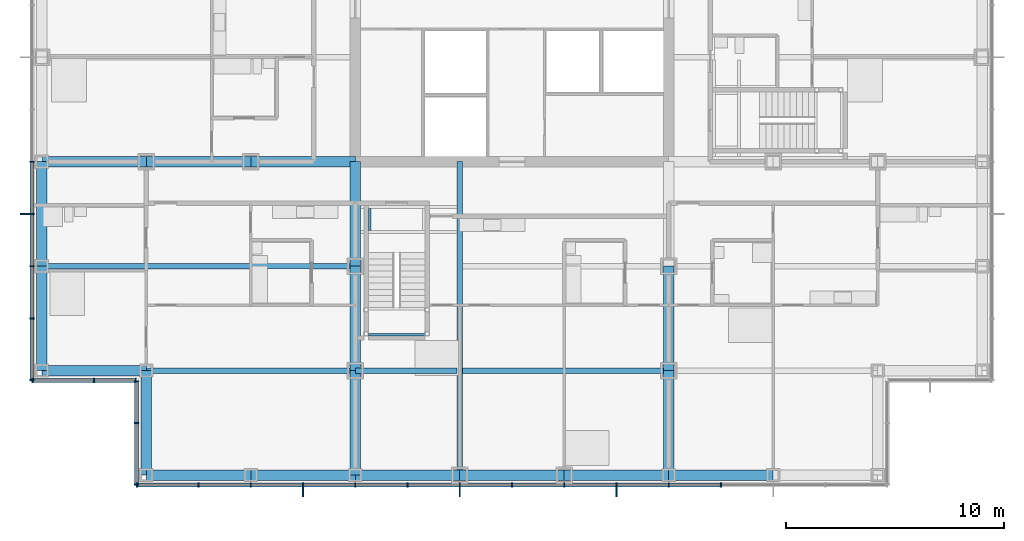
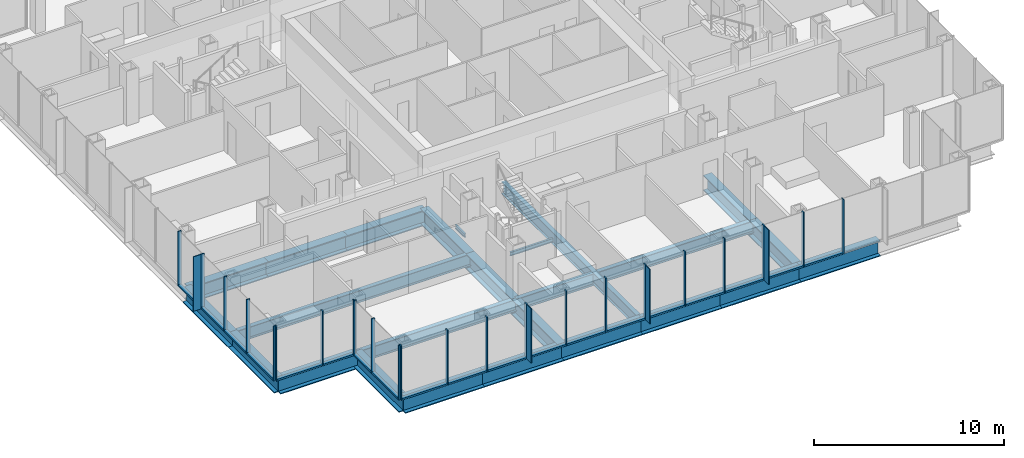
# One storey, part 6 of 21: 46 members, 25 beams, 4 elements without a shape of their own.
"""IFC4 building model written with IfcOpenShell, lengths in metres."""

from ifc_helpers import new_model, si_unit, direction, frame, origin, origin_2d, place, context, subcontext, project, spatial, rectangle, i_section, extrude, material, material_profile, profile_set, type_object, element, aggregate, save


model = new_model("IFC4")

# Units and contexts
model_context = context("Model", 3, precision=1e-05, world=origin(), true_north=direction((0.0, 1.0)))
body_context = subcontext(model_context, "Body", "Model", "MODEL_VIEW")
ifc_project = project(units=[si_unit("LENGTHUNIT", "METRE"), si_unit("AREAUNIT", "SQUARE_METRE"), si_unit("VOLUMEUNIT", "CUBIC_METRE"), si_unit("PLANEANGLEUNIT", "RADIAN"), si_unit("MASSUNIT", "GRAM", prefix="KILO")], contexts=[model_context])

# Site, building, storey
site_placement = place(None, origin())
site = spatial("IfcSite", under=ifc_project, at=site_placement, CompositionType="ELEMENT")
building_placement = place(site_placement, origin())
building = spatial("IfcBuilding", under=site, at=building_placement, Name="Kvirike Care Tower", CompositionType="ELEMENT")
storey_placement = place(building_placement, frame((0.0, 0.0, 62.0)))
storey = spatial("IfcBuildingStorey", under=building, at=storey_placement, Name="L16", CompositionType="ELEMENT", Elevation=62.0)

# Curtain wall, member
ifc_material_1 = material(Name="Anodised aluminium stick system", Category="aluminium")
curtain_wall_type = type_object("IfcCurtainWallType", Name="CW-A STICK CURTAIN WALL", PredefinedType="NOTDEFINED", material=ifc_material_1)
curtain_wall_1_placement = place(storey_placement, origin())
curtain_wall_1 = element("IfcCurtainWall", 1, at=curtain_wall_1_placement, inside=storey, type_object=curtain_wall_type, Name="Curtain wall L16 face 1", PredefinedType="NOTDEFINED")
ifc_material_2 = material(Name="Bronze anodised aluminium fin", Category="aluminium")
ifc_material_profile_1 = material_profile(ifc_material_2, rectangle(XDim=0.050048828125, YDim=0.449951171875, at=origin_2d()), Name="BRONZE FIN 450")
ifc_profile_set_1 = profile_set([ifc_material_profile_1], Name="Bronze anodised aluminium fin")
member_type_1 = type_object("IfcMemberType", Name="BRONZE FIN 450", PredefinedType="USERDEFINED", material=ifc_profile_set_1)
member_1_placement = place(storey_placement, frame((-0.77490234375, 26.39990234375, 0.0), z_axis=(0.0, 0.0, 1.0), x_axis=(0.0, -1.0, 0.0)))
member_1 = element("IfcMember", 2, at=member_1_placement, type_object=member_type_1, Name="Bronze fin L16 face 1.12", ObjectType="FIN", PredefinedType="USERDEFINED", context=body_context, shape_type="SweptSolid", body=[
    extrude(rectangle(XDim=0.050048828125, YDim=0.449951171875, at=origin_2d()), origin(), (0.0, 0.0, 1.0), 3.5),
])

# Curtain wall, members
curtain_wall_2_placement = place(storey_placement, origin())
curtain_wall_2 = element("IfcCurtainWall", 3, at=curtain_wall_2_placement, inside=storey, type_object=curtain_wall_type, Name="Curtain wall L16 face 4", PredefinedType="NOTDEFINED")
member_2_placement = place(storey_placement, frame((12.0, 13.625, 0.0), z_axis=(0.0, 0.0, 1.0), x_axis=(1.0, 0.0, 0.0)))
member_2 = element("IfcMember", 4, at=member_2_placement, type_object=member_type_1, Name="Bronze fin L16 face 4.4", ObjectType="FIN", PredefinedType="USERDEFINED", context=body_context, shape_type="SweptSolid", body=[
    extrude(rectangle(XDim=0.050048828125, YDim=0.449951171875, at=origin_2d()), origin(), (0.0, 0.0, 1.0), 3.5),
])
member_3_placement = place(storey_placement, frame((19.199951171875, 13.625, 0.0), z_axis=(0.0, 0.0, 1.0), x_axis=(1.0, 0.0, 0.0)))
member_3 = element("IfcMember", 5, at=member_3_placement, type_object=member_type_1, Name="Bronze fin L16 face 4.7", ObjectType="FIN", PredefinedType="USERDEFINED", context=body_context, shape_type="SweptSolid", body=[
    extrude(rectangle(XDim=0.050048828125, YDim=0.449951171875, at=origin_2d()), origin(), (0.0, 0.0, 1.0), 3.5),
])
member_4_placement = place(storey_placement, frame((26.39990234375, 13.625, 0.0), z_axis=(0.0, 0.0, 1.0), x_axis=(1.0, 0.0, 0.0)))
member_4 = element("IfcMember", 6, at=member_4_placement, type_object=member_type_1, Name="Bronze fin L16 face 4.10", ObjectType="FIN", PredefinedType="USERDEFINED", context=body_context, shape_type="SweptSolid", body=[
    extrude(rectangle(XDim=0.050048828125, YDim=0.449951171875, at=origin_2d()), origin(), (0.0, 0.0, 1.0), 3.5),
])

# Member
ifc_material_3 = material(Name="Bronze anodised aluminium mullion", Category="aluminium")
ifc_material_profile_2 = material_profile(ifc_material_3, rectangle(XDim=0.06494140625, YDim=0.199951171875, at=origin_2d()), Name="CW-A MULLION 65x200")
ifc_profile_set_2 = profile_set([ifc_material_profile_2], Name="Bronze anodised aluminium mullion")
member_type_2 = type_object("IfcMemberType", Name="CW-A MULLION 65x200", PredefinedType="MULLION", material=ifc_profile_set_2)
member_5_placement = place(storey_placement, frame((-0.449951171875, 28.800048828125, 0.0), z_axis=(0.0, 0.0, 1.0), x_axis=(0.0, -1.0, 0.0)))
member_5 = element("IfcMember", 7, at=member_5_placement, type_object=member_type_2, Name="CW-A mullion L16 face 1.11", PredefinedType="MULLION", context=body_context, shape_type="SweptSolid", body=[
    extrude(rectangle(XDim=0.06494140625, YDim=0.199951171875, at=origin_2d()), origin(), (0.0, 0.0, 1.0), 3.5),
])

member_6_placement = place(storey_placement, frame((-0.449951171875, 26.39990234375, 0.0), z_axis=(0.0, 0.0, 1.0), x_axis=(0.0, -1.0, 0.0)))
member_6 = element("IfcMember", 8, at=member_6_placement, type_object=member_type_2, Name="CW-A mullion L16 face 1.12", PredefinedType="MULLION", context=body_context, shape_type="SweptSolid", body=[
    extrude(rectangle(XDim=0.06494140625, YDim=0.199951171875, at=origin_2d()), origin(), (0.0, 0.0, 1.0), 3.5),
])

member_7_placement = place(storey_placement, frame((-0.449951171875, 24.0, 0.0), z_axis=(0.0, 0.0, 1.0), x_axis=(0.0, -1.0, 0.0)))
member_7 = element("IfcMember", 9, at=member_7_placement, type_object=member_type_2, Name="CW-A mullion L16 face 1.13", PredefinedType="MULLION", context=body_context, shape_type="SweptSolid", body=[
    extrude(rectangle(XDim=0.06494140625, YDim=0.199951171875, at=origin_2d()), origin(), (0.0, 0.0, 1.0), 3.5),
])

member_8_placement = place(storey_placement, frame((-0.449951171875, 21.60009765625, 0.0), z_axis=(0.0, 0.0, 1.0), x_axis=(0.0, -1.0, 0.0)))
member_8 = element("IfcMember", 10, at=member_8_placement, type_object=member_type_2, Name="CW-A mullion L16 face 1.14", PredefinedType="MULLION", context=body_context, shape_type="SweptSolid", body=[
    extrude(rectangle(XDim=0.06494140625, YDim=0.199951171875, at=origin_2d()), origin(), (0.0, 0.0, 1.0), 3.5),
])

member_9_placement = place(storey_placement, frame((-0.449951171875, 18.782470703125, 0.0), z_axis=(0.0, 0.0, 1.0), x_axis=(0.0, -1.0, 0.0)))
member_9 = element("IfcMember", 11, at=member_9_placement, type_object=member_type_2, Name="CW-A mullion L16 face 1.15", PredefinedType="MULLION", context=body_context, shape_type="SweptSolid", body=[
    extrude(rectangle(XDim=0.06494140625, YDim=0.199951171875, at=origin_2d()), origin(), (0.0, 0.0, 1.0), 3.5),
])

# Curtain wall, members
curtain_wall_3_placement = place(storey_placement, origin())
curtain_wall_3 = element("IfcCurtainWall", 12, at=curtain_wall_3_placement, inside=storey, type_object=curtain_wall_type, Name="Curtain wall L16 face 2", PredefinedType="NOTDEFINED")
member_10_placement = place(storey_placement, frame((-0.41748046875, 18.75, 0.0), z_axis=(0.0, 0.0, 1.0), x_axis=(1.0, 0.0, 0.0)))
member_10 = element("IfcMember", 13, at=member_10_placement, type_object=member_type_2, Name="CW-A mullion L16 face 2.1", PredefinedType="MULLION", context=body_context, shape_type="SweptSolid", body=[
    extrude(rectangle(XDim=0.06494140625, YDim=0.199951171875, at=origin_2d()), origin(), (0.0, 0.0, 1.0), 3.5),
])
member_11_placement = place(storey_placement, frame((2.39990234375, 18.75, 0.0), z_axis=(0.0, 0.0, 1.0), x_axis=(1.0, 0.0, 0.0)))
member_11 = element("IfcMember", 14, at=member_11_placement, type_object=member_type_2, Name="CW-A mullion L16 face 2.2", PredefinedType="MULLION", context=body_context, shape_type="SweptSolid", body=[
    extrude(rectangle(XDim=0.06494140625, YDim=0.199951171875, at=origin_2d()), origin(), (0.0, 0.0, 1.0), 3.5),
])
member_12_placement = place(storey_placement, frame((4.3173828125, 18.75, 0.0), z_axis=(0.0, 0.0, 1.0), x_axis=(1.0, 0.0, 0.0)))
member_12 = element("IfcMember", 15, at=member_12_placement, type_object=member_type_2, Name="CW-A mullion L16 face 2.3", PredefinedType="MULLION", context=body_context, shape_type="SweptSolid", body=[
    extrude(rectangle(XDim=0.06494140625, YDim=0.199951171875, at=origin_2d()), origin(), (0.0, 0.0, 1.0), 3.5),
])

curtain_wall_4_placement = place(storey_placement, origin())
curtain_wall_4 = element("IfcCurtainWall", 16, at=curtain_wall_4_placement, inside=storey, type_object=curtain_wall_type, Name="Curtain wall L16 face 3", PredefinedType="NOTDEFINED")
member_13_placement = place(storey_placement, frame((4.35009765625, 18.717529296875, 0.0), z_axis=(0.0, 0.0, 1.0), x_axis=(0.0, -1.0, 0.0)))
member_13 = element("IfcMember", 17, at=member_13_placement, type_object=member_type_2, Name="CW-A mullion L16 face 3.1", PredefinedType="MULLION", context=body_context, shape_type="SweptSolid", body=[
    extrude(rectangle(XDim=0.06494140625, YDim=0.199951171875, at=origin_2d()), origin(), (0.0, 0.0, 1.0), 3.5),
])
member_14_placement = place(storey_placement, frame((4.35009765625, 16.800048828125, 0.0), z_axis=(0.0, 0.0, 1.0), x_axis=(0.0, -1.0, 0.0)))
member_14 = element("IfcMember", 18, at=member_14_placement, type_object=member_type_2, Name="CW-A mullion L16 face 3.2", PredefinedType="MULLION", context=body_context, shape_type="SweptSolid", body=[
    extrude(rectangle(XDim=0.06494140625, YDim=0.199951171875, at=origin_2d()), origin(), (0.0, 0.0, 1.0), 3.5),
])
member_15_placement = place(storey_placement, frame((4.35009765625, 13.982421875, 0.0), z_axis=(0.0, 0.0, 1.0), x_axis=(0.0, -1.0, 0.0)))
member_15 = element("IfcMember", 19, at=member_15_placement, type_object=member_type_2, Name="CW-A mullion L16 face 3.3", PredefinedType="MULLION", context=body_context, shape_type="SweptSolid", body=[
    extrude(rectangle(XDim=0.06494140625, YDim=0.199951171875, at=origin_2d()), origin(), (0.0, 0.0, 1.0), 3.5),
])

# Member
member_16_placement = place(storey_placement, frame((4.382568359375, 13.949951171875, 0.0), z_axis=(0.0, 0.0, 1.0), x_axis=(1.0, 0.0, 0.0)))
member_16 = element("IfcMember", 20, at=member_16_placement, type_object=member_type_2, Name="CW-A mullion L16 face 4.1", PredefinedType="MULLION", context=body_context, shape_type="SweptSolid", body=[
    extrude(rectangle(XDim=0.06494140625, YDim=0.199951171875, at=origin_2d()), origin(), (0.0, 0.0, 1.0), 3.5),
])

member_17_placement = place(storey_placement, frame((7.199951171875, 13.949951171875, 0.0), z_axis=(0.0, 0.0, 1.0), x_axis=(1.0, 0.0, 0.0)))
member_17 = element("IfcMember", 21, at=member_17_placement, type_object=member_type_2, Name="CW-A mullion L16 face 4.2", PredefinedType="MULLION", context=body_context, shape_type="SweptSolid", body=[
    extrude(rectangle(XDim=0.06494140625, YDim=0.199951171875, at=origin_2d()), origin(), (0.0, 0.0, 1.0), 3.5),
])

member_18_placement = place(storey_placement, frame((9.60009765625, 13.949951171875, 0.0), z_axis=(0.0, 0.0, 1.0), x_axis=(1.0, 0.0, 0.0)))
member_18 = element("IfcMember", 22, at=member_18_placement, type_object=member_type_2, Name="CW-A mullion L16 face 4.3", PredefinedType="MULLION", context=body_context, shape_type="SweptSolid", body=[
    extrude(rectangle(XDim=0.06494140625, YDim=0.199951171875, at=origin_2d()), origin(), (0.0, 0.0, 1.0), 3.5),
])

member_19_placement = place(storey_placement, frame((12.0, 13.949951171875, 0.0), z_axis=(0.0, 0.0, 1.0), x_axis=(1.0, 0.0, 0.0)))
member_19 = element("IfcMember", 23, at=member_19_placement, type_object=member_type_2, Name="CW-A mullion L16 face 4.4", PredefinedType="MULLION", context=body_context, shape_type="SweptSolid", body=[
    extrude(rectangle(XDim=0.06494140625, YDim=0.199951171875, at=origin_2d()), origin(), (0.0, 0.0, 1.0), 3.5),
])

member_20_placement = place(storey_placement, frame((14.39990234375, 13.949951171875, 0.0), z_axis=(0.0, 0.0, 1.0), x_axis=(1.0, 0.0, 0.0)))
member_20 = element("IfcMember", 24, at=member_20_placement, type_object=member_type_2, Name="CW-A mullion L16 face 4.5", PredefinedType="MULLION", context=body_context, shape_type="SweptSolid", body=[
    extrude(rectangle(XDim=0.06494140625, YDim=0.199951171875, at=origin_2d()), origin(), (0.0, 0.0, 1.0), 3.5),
])

member_21_placement = place(storey_placement, frame((16.800048828125, 13.949951171875, 0.0), z_axis=(0.0, 0.0, 1.0), x_axis=(1.0, 0.0, 0.0)))
member_21 = element("IfcMember", 25, at=member_21_placement, type_object=member_type_2, Name="CW-A mullion L16 face 4.6", PredefinedType="MULLION", context=body_context, shape_type="SweptSolid", body=[
    extrude(rectangle(XDim=0.06494140625, YDim=0.199951171875, at=origin_2d()), origin(), (0.0, 0.0, 1.0), 3.5),
])

member_22_placement = place(storey_placement, frame((19.199951171875, 13.949951171875, 0.0), z_axis=(0.0, 0.0, 1.0), x_axis=(1.0, 0.0, 0.0)))
member_22 = element("IfcMember", 26, at=member_22_placement, type_object=member_type_2, Name="CW-A mullion L16 face 4.7", PredefinedType="MULLION", context=body_context, shape_type="SweptSolid", body=[
    extrude(rectangle(XDim=0.06494140625, YDim=0.199951171875, at=origin_2d()), origin(), (0.0, 0.0, 1.0), 3.5),
])

member_23_placement = place(storey_placement, frame((21.60009765625, 13.949951171875, 0.0), z_axis=(0.0, 0.0, 1.0), x_axis=(1.0, 0.0, 0.0)))
member_23 = element("IfcMember", 27, at=member_23_placement, type_object=member_type_2, Name="CW-A mullion L16 face 4.8", PredefinedType="MULLION", context=body_context, shape_type="SweptSolid", body=[
    extrude(rectangle(XDim=0.06494140625, YDim=0.199951171875, at=origin_2d()), origin(), (0.0, 0.0, 1.0), 3.5),
])

member_24_placement = place(storey_placement, frame((24.0, 13.949951171875, 0.0), z_axis=(0.0, 0.0, 1.0), x_axis=(1.0, 0.0, 0.0)))
member_24 = element("IfcMember", 28, at=member_24_placement, type_object=member_type_2, Name="CW-A mullion L16 face 4.9", PredefinedType="MULLION", context=body_context, shape_type="SweptSolid", body=[
    extrude(rectangle(XDim=0.06494140625, YDim=0.199951171875, at=origin_2d()), origin(), (0.0, 0.0, 1.0), 3.5),
])

member_25_placement = place(storey_placement, frame((26.39990234375, 13.949951171875, 0.0), z_axis=(0.0, 0.0, 1.0), x_axis=(1.0, 0.0, 0.0)))
member_25 = element("IfcMember", 29, at=member_25_placement, type_object=member_type_2, Name="CW-A mullion L16 face 4.10", PredefinedType="MULLION", context=body_context, shape_type="SweptSolid", body=[
    extrude(rectangle(XDim=0.06494140625, YDim=0.199951171875, at=origin_2d()), origin(), (0.0, 0.0, 1.0), 3.5),
])

member_26_placement = place(storey_placement, frame((28.800048828125, 13.949951171875, 0.0), z_axis=(0.0, 0.0, 1.0), x_axis=(1.0, 0.0, 0.0)))
member_26 = element("IfcMember", 30, at=member_26_placement, type_object=member_type_2, Name="CW-A mullion L16 face 4.11", PredefinedType="MULLION", context=body_context, shape_type="SweptSolid", body=[
    extrude(rectangle(XDim=0.06494140625, YDim=0.199951171875, at=origin_2d()), origin(), (0.0, 0.0, 1.0), 3.5),
])

member_27_placement = place(storey_placement, frame((31.199951171875, 13.949951171875, 0.0), z_axis=(0.0, 0.0, 1.0), x_axis=(1.0, 0.0, 0.0)))
member_27 = element("IfcMember", 31, at=member_27_placement, type_object=member_type_2, Name="CW-A mullion L16 face 4.12", PredefinedType="MULLION", context=body_context, shape_type="SweptSolid", body=[
    extrude(rectangle(XDim=0.06494140625, YDim=0.199951171875, at=origin_2d()), origin(), (0.0, 0.0, 1.0), 3.5),
])

ifc_material_4 = material(Name="Bronze anodised aluminium transom", Category="aluminium")
ifc_material_profile_3 = material_profile(ifc_material_4, rectangle(XDim=0.199951171875, YDim=0.10009765625, at=origin_2d()), Name="CW-A TRANSOM 200x100")
ifc_profile_set_3 = profile_set([ifc_material_profile_3], Name="Bronze anodised aluminium transom")
member_type_3 = type_object("IfcMemberType", Name="CW-A TRANSOM 200x100", PredefinedType="USERDEFINED", material=ifc_profile_set_3)
member_28_placement = place(storey_placement, frame((-0.449951171875, 28.767578125, 0.050048828125), z_axis=(0.0, -1.0, 0.0), x_axis=(1.0, 0.0, 0.0)))
member_28 = element("IfcMember", 32, at=member_28_placement, type_object=member_type_3, Name="CW-A sill transom L16 face 1.11", ObjectType="TRANSOM", PredefinedType="USERDEFINED", context=body_context, shape_type="SweptSolid", body=[
    extrude(rectangle(XDim=0.199951171875, YDim=0.10009765625, at=origin_2d()), origin(), (0.0, 0.0, 1.0), 2.3349609375),
])

member_29_placement = place(storey_placement, frame((-0.449951171875, 26.367431640625, 0.050048828125), z_axis=(0.0, -1.0, 0.0), x_axis=(1.0, 0.0, 0.0)))
member_29 = element("IfcMember", 33, at=member_29_placement, type_object=member_type_3, Name="CW-A sill transom L16 face 1.12", ObjectType="TRANSOM", PredefinedType="USERDEFINED", context=body_context, shape_type="SweptSolid", body=[
    extrude(rectangle(XDim=0.199951171875, YDim=0.10009765625, at=origin_2d()), origin(), (0.0, 0.0, 1.0), 2.3349609375),
])

member_30_placement = place(storey_placement, frame((-0.449951171875, 23.967529296875, 0.050048828125), z_axis=(0.0, -1.0, 0.0), x_axis=(1.0, 0.0, 0.0)))
member_30 = element("IfcMember", 34, at=member_30_placement, type_object=member_type_3, Name="CW-A sill transom L16 face 1.13", ObjectType="TRANSOM", PredefinedType="USERDEFINED", context=body_context, shape_type="SweptSolid", body=[
    extrude(rectangle(XDim=0.199951171875, YDim=0.10009765625, at=origin_2d()), origin(), (0.0, 0.0, 1.0), 2.3349609375),
])

member_31_placement = place(storey_placement, frame((-0.449951171875, 21.5673828125, 0.050048828125), z_axis=(0.0, -1.0, 0.0), x_axis=(1.0, 0.0, 0.0)))
member_31 = element("IfcMember", 35, at=member_31_placement, type_object=member_type_3, Name="CW-A sill transom L16 face 1.14", ObjectType="TRANSOM", PredefinedType="USERDEFINED", context=body_context, shape_type="SweptSolid", body=[
    extrude(rectangle(XDim=0.199951171875, YDim=0.10009765625, at=origin_2d()), origin(), (0.0, 0.0, 1.0), 2.75244140625),
])

aggregate(curtain_wall_1, [member_5, member_6, member_1, member_7, member_8, member_9, member_28, member_29, member_30, member_31])

member_32_placement = place(storey_placement, frame((-0.385009765625, 18.75, 0.050048828125), z_axis=(1.0, 0.0, 0.0), x_axis=(0.0, 1.0, 0.0)))
member_32 = element("IfcMember", 36, at=member_32_placement, type_object=member_type_3, Name="CW-A sill transom L16 face 2.1", ObjectType="TRANSOM", PredefinedType="USERDEFINED", context=body_context, shape_type="SweptSolid", body=[
    extrude(rectangle(XDim=0.199951171875, YDim=0.10009765625, at=origin_2d()), origin(), (0.0, 0.0, 1.0), 2.75244140625),
])

member_33_placement = place(storey_placement, frame((2.4326171875, 18.75, 0.050048828125), z_axis=(1.0, 0.0, 0.0), x_axis=(0.0, 1.0, 0.0)))
member_33 = element("IfcMember", 37, at=member_33_placement, type_object=member_type_3, Name="CW-A sill transom L16 face 2.2", ObjectType="TRANSOM", PredefinedType="USERDEFINED", context=body_context, shape_type="SweptSolid", body=[
    extrude(rectangle(XDim=0.199951171875, YDim=0.10009765625, at=origin_2d()), origin(), (0.0, 0.0, 1.0), 1.852294921875),
])

aggregate(curtain_wall_3, [member_10, member_11, member_12, member_32, member_33])

member_34_placement = place(storey_placement, frame((4.35009765625, 18.68505859375, 0.050048828125), z_axis=(0.0, -1.0, 0.0), x_axis=(1.0, 0.0, 0.0)))
member_34 = element("IfcMember", 38, at=member_34_placement, type_object=member_type_3, Name="CW-A sill transom L16 face 3.1", ObjectType="TRANSOM", PredefinedType="USERDEFINED", context=body_context, shape_type="SweptSolid", body=[
    extrude(rectangle(XDim=0.199951171875, YDim=0.10009765625, at=origin_2d()), origin(), (0.0, 0.0, 1.0), 1.8525390625),
])

member_35_placement = place(storey_placement, frame((4.35009765625, 16.767578125, 0.050048828125), z_axis=(0.0, -1.0, 0.0), x_axis=(1.0, 0.0, 0.0)))
member_35 = element("IfcMember", 39, at=member_35_placement, type_object=member_type_3, Name="CW-A sill transom L16 face 3.2", ObjectType="TRANSOM", PredefinedType="USERDEFINED", context=body_context, shape_type="SweptSolid", body=[
    extrude(rectangle(XDim=0.199951171875, YDim=0.10009765625, at=origin_2d()), origin(), (0.0, 0.0, 1.0), 2.752685546875),
])

aggregate(curtain_wall_4, [member_13, member_14, member_15, member_34, member_35])

member_36_placement = place(storey_placement, frame((4.4150390625, 13.949951171875, 0.050048828125), z_axis=(1.0, 0.0, 0.0), x_axis=(0.0, 1.0, 0.0)))
member_36 = element("IfcMember", 40, at=member_36_placement, type_object=member_type_3, Name="CW-A sill transom L16 face 4.1", ObjectType="TRANSOM", PredefinedType="USERDEFINED", context=body_context, shape_type="SweptSolid", body=[
    extrude(rectangle(XDim=0.199951171875, YDim=0.10009765625, at=origin_2d()), origin(), (0.0, 0.0, 1.0), 2.75244140625),
])

member_37_placement = place(storey_placement, frame((7.232421875, 13.949951171875, 0.050048828125), z_axis=(1.0, 0.0, 0.0), x_axis=(0.0, 1.0, 0.0)))
member_37 = element("IfcMember", 41, at=member_37_placement, type_object=member_type_3, Name="CW-A sill transom L16 face 4.2", ObjectType="TRANSOM", PredefinedType="USERDEFINED", context=body_context, shape_type="SweptSolid", body=[
    extrude(rectangle(XDim=0.199951171875, YDim=0.10009765625, at=origin_2d()), origin(), (0.0, 0.0, 1.0), 2.3349609375),
])

member_38_placement = place(storey_placement, frame((9.632568359375, 13.949951171875, 0.050048828125), z_axis=(1.0, 0.0, 0.0), x_axis=(0.0, 1.0, 0.0)))
member_38 = element("IfcMember", 42, at=member_38_placement, type_object=member_type_3, Name="CW-A sill transom L16 face 4.3", ObjectType="TRANSOM", PredefinedType="USERDEFINED", context=body_context, shape_type="SweptSolid", body=[
    extrude(rectangle(XDim=0.199951171875, YDim=0.10009765625, at=origin_2d()), origin(), (0.0, 0.0, 1.0), 2.3349609375),
])

member_39_placement = place(storey_placement, frame((12.032470703125, 13.949951171875, 0.050048828125), z_axis=(1.0, 0.0, 0.0), x_axis=(0.0, 1.0, 0.0)))
member_39 = element("IfcMember", 43, at=member_39_placement, type_object=member_type_3, Name="CW-A sill transom L16 face 4.4", ObjectType="TRANSOM", PredefinedType="USERDEFINED", context=body_context, shape_type="SweptSolid", body=[
    extrude(rectangle(XDim=0.199951171875, YDim=0.10009765625, at=origin_2d()), origin(), (0.0, 0.0, 1.0), 2.3349609375),
])

member_40_placement = place(storey_placement, frame((14.4326171875, 13.949951171875, 0.050048828125), z_axis=(1.0, 0.0, 0.0), x_axis=(0.0, 1.0, 0.0)))
member_40 = element("IfcMember", 44, at=member_40_placement, type_object=member_type_3, Name="CW-A sill transom L16 face 4.5", ObjectType="TRANSOM", PredefinedType="USERDEFINED", context=body_context, shape_type="SweptSolid", body=[
    extrude(rectangle(XDim=0.199951171875, YDim=0.10009765625, at=origin_2d()), origin(), (0.0, 0.0, 1.0), 2.3349609375),
])

member_41_placement = place(storey_placement, frame((16.83251953125, 13.949951171875, 0.050048828125), z_axis=(1.0, 0.0, 0.0), x_axis=(0.0, 1.0, 0.0)))
member_41 = element("IfcMember", 45, at=member_41_placement, type_object=member_type_3, Name="CW-A sill transom L16 face 4.6", ObjectType="TRANSOM", PredefinedType="USERDEFINED", context=body_context, shape_type="SweptSolid", body=[
    extrude(rectangle(XDim=0.199951171875, YDim=0.10009765625, at=origin_2d()), origin(), (0.0, 0.0, 1.0), 2.3349609375),
])

member_42_placement = place(storey_placement, frame((19.232421875, 13.949951171875, 0.050048828125), z_axis=(1.0, 0.0, 0.0), x_axis=(0.0, 1.0, 0.0)))
member_42 = element("IfcMember", 46, at=member_42_placement, type_object=member_type_3, Name="CW-A sill transom L16 face 4.7", ObjectType="TRANSOM", PredefinedType="USERDEFINED", context=body_context, shape_type="SweptSolid", body=[
    extrude(rectangle(XDim=0.199951171875, YDim=0.10009765625, at=origin_2d()), origin(), (0.0, 0.0, 1.0), 2.3349609375),
])

member_43_placement = place(storey_placement, frame((21.632568359375, 13.949951171875, 0.050048828125), z_axis=(1.0, 0.0, 0.0), x_axis=(0.0, 1.0, 0.0)))
member_43 = element("IfcMember", 47, at=member_43_placement, type_object=member_type_3, Name="CW-A sill transom L16 face 4.8", ObjectType="TRANSOM", PredefinedType="USERDEFINED", context=body_context, shape_type="SweptSolid", body=[
    extrude(rectangle(XDim=0.199951171875, YDim=0.10009765625, at=origin_2d()), origin(), (0.0, 0.0, 1.0), 2.3349609375),
])

member_44_placement = place(storey_placement, frame((24.032470703125, 13.949951171875, 0.050048828125), z_axis=(1.0, 0.0, 0.0), x_axis=(0.0, 1.0, 0.0)))
member_44 = element("IfcMember", 48, at=member_44_placement, type_object=member_type_3, Name="CW-A sill transom L16 face 4.9", ObjectType="TRANSOM", PredefinedType="USERDEFINED", context=body_context, shape_type="SweptSolid", body=[
    extrude(rectangle(XDim=0.199951171875, YDim=0.10009765625, at=origin_2d()), origin(), (0.0, 0.0, 1.0), 2.3349609375),
])

member_45_placement = place(storey_placement, frame((26.4326171875, 13.949951171875, 0.050048828125), z_axis=(1.0, 0.0, 0.0), x_axis=(0.0, 1.0, 0.0)))
member_45 = element("IfcMember", 49, at=member_45_placement, type_object=member_type_3, Name="CW-A sill transom L16 face 4.10", ObjectType="TRANSOM", PredefinedType="USERDEFINED", context=body_context, shape_type="SweptSolid", body=[
    extrude(rectangle(XDim=0.199951171875, YDim=0.10009765625, at=origin_2d()), origin(), (0.0, 0.0, 1.0), 2.3349609375),
])

member_46_placement = place(storey_placement, frame((28.83251953125, 13.949951171875, 0.050048828125), z_axis=(1.0, 0.0, 0.0), x_axis=(0.0, 1.0, 0.0)))
member_46 = element("IfcMember", 50, at=member_46_placement, type_object=member_type_3, Name="CW-A sill transom L16 face 4.11", ObjectType="TRANSOM", PredefinedType="USERDEFINED", context=body_context, shape_type="SweptSolid", body=[
    extrude(rectangle(XDim=0.199951171875, YDim=0.10009765625, at=origin_2d()), origin(), (0.0, 0.0, 1.0), 2.3349609375),
])

aggregate(curtain_wall_2, [member_16, member_17, member_18, member_19, member_2, member_20, member_21, member_22, member_3, member_23, member_24, member_25, member_4, member_26, member_27, member_36, member_37, member_38, member_39, member_40, member_41, member_42, member_43, member_44, member_45, member_46])

# Beams
ifc_material_5 = material(Name="Steel S355", Category="steel")
ifc_material_profile_4 = material_profile(ifc_material_5, i_section(OverallWidth=0.26806640625, OverallDepth=0.77001953125, WebThickness=0.015625, FlangeThickness=0.025390625, FilletRadius=0.01708984375, at=origin_2d()), Name="IPE 750x196")
ifc_profile_set_4 = profile_set([ifc_material_profile_4], Name="Steel S355")
beam_type_1 = type_object("IfcBeamType", Name="FLOOR BEAM IPE 750x196", PredefinedType="BEAM", material=ifc_profile_set_4)
beam_1_placement = place(storey_placement, frame((4.800048828125, 19.199951171875, -0.554931640625), z_axis=(1.0, 0.0, 0.0), x_axis=(0.0, 1.0, 0.0)))
element("IfcBeam", 51, at=beam_1_placement, inside=storey, type_object=beam_type_1, Name="Floor Beam E4-E6 L16", PredefinedType="BEAM", context=body_context, shape_type="SweptSolid", body=[
    extrude(i_section(OverallWidth=0.26806640625, OverallDepth=0.77001953125, WebThickness=0.015625, FlangeThickness=0.025390625, FilletRadius=0.01708984375, at=origin_2d()), origin(), (0.0, 0.0, 1.0), 9.599853515625),
])
beam_2_placement = place(storey_placement, frame((14.39990234375, 19.199951171875, -0.554931640625), z_axis=(1.0, 0.0, 0.0), x_axis=(0.0, 1.0, 0.0)))
element("IfcBeam", 52, at=beam_2_placement, inside=storey, type_object=beam_type_1, Name="Floor Beam E6-E7 L16", PredefinedType="BEAM", context=body_context, shape_type="SweptSolid", body=[
    extrude(i_section(OverallWidth=0.26806640625, OverallDepth=0.77001953125, WebThickness=0.015625, FlangeThickness=0.025390625, FilletRadius=0.01708984375, at=origin_2d()), origin(), (0.0, 0.0, 1.0), 4.666015625),
])
beam_3_placement = place(storey_placement, frame((19.333984375, 19.199951171875, -0.554931640625), z_axis=(1.0, 0.0, 0.0), x_axis=(0.0, 1.0, 0.0)))
element("IfcBeam", 53, at=beam_3_placement, inside=storey, type_object=beam_type_1, Name="Floor Beam E7-E9 L16", PredefinedType="BEAM", context=body_context, shape_type="SweptSolid", body=[
    extrude(i_section(OverallWidth=0.26806640625, OverallDepth=0.77001953125, WebThickness=0.015625, FlangeThickness=0.025390625, FilletRadius=0.01708984375, at=origin_2d()), origin(), (0.0, 0.0, 1.0), 9.466064453125),
])
beam_4_placement = place(storey_placement, frame((0.0, 24.0, -0.554931640625), z_axis=(1.0, 0.0, 0.0), x_axis=(0.0, 1.0, 0.0)))
element("IfcBeam", 54, at=beam_4_placement, inside=storey, type_object=beam_type_1, Name="Floor Beam F3-F6 L16", PredefinedType="BEAM", context=body_context, shape_type="SweptSolid", body=[
    extrude(i_section(OverallWidth=0.26806640625, OverallDepth=0.77001953125, WebThickness=0.015625, FlangeThickness=0.025390625, FilletRadius=0.01708984375, at=origin_2d()), origin(), (0.0, 0.0, 1.0), 14.39990234375),
])
beam_5_placement = place(storey_placement, frame((19.199951171875, 14.39990234375, -0.554931640625), z_axis=(0.0, 1.0, 0.0), x_axis=(-1.0, 0.0, 0.0)))
element("IfcBeam", 55, at=beam_5_placement, inside=storey, type_object=beam_type_1, Name="Floor Beam D7-G7 L16", PredefinedType="BEAM", context=body_context, shape_type="SweptSolid", body=[
    extrude(i_section(OverallWidth=0.26806640625, OverallDepth=0.77001953125, WebThickness=0.015625, FlangeThickness=0.025390625, FilletRadius=0.01708984375, at=origin_2d()), origin(), (0.0, 0.0, 1.0), 14.400146484375),
])
ifc_material_6 = material(Name="Steel S355", Category="steel")
ifc_material_profile_5 = material_profile(ifc_material_6, i_section(OverallWidth=0.5, OverallDepth=1.0, WebThickness=0.030029296875, FlangeThickness=0.06005859375, at=origin_2d()), Name="PG 1000x500x30x60")
ifc_profile_set_5 = profile_set([ifc_material_profile_5], Name="Steel S355")
beam_type_2 = type_object("IfcBeamType", Name="FRAME BEAM PG 1000x500x30x60", PredefinedType="BEAM", material=ifc_profile_set_5)
for number, where, z_axis, x_axis, name in (
    (56, (0.0, 28.800048828125, -0.669921875), (1.0, 0.0, 0.0), (0.0, 1.0, 0.0), "Frame Beam G3-G4 L16"),
    (57, (4.800048828125, 28.800048828125, -0.669921875), (1.0, 0.0, 0.0), (0.0, 1.0, 0.0), "Frame Beam G4-G5 L16"),
):
    element("IfcBeam", number, at=place(storey_placement, frame(where, z_axis=z_axis, x_axis=x_axis)), inside=storey, type_object=beam_type_2, Name=name, PredefinedType="BEAM", context=body_context, shape_type="SweptSolid", body=[
        extrude(i_section(OverallWidth=0.5, OverallDepth=1.0, WebThickness=0.030029296875, FlangeThickness=0.06005859375, at=origin_2d()), origin(), (0.0, 0.0, 1.0), 4.800048828125),
    ])
beam_6_placement = place(storey_placement, frame((9.60009765625, 28.800048828125, -0.669921875), z_axis=(1.0, 0.0, 0.0), x_axis=(0.0, 1.0, 0.0)))
element("IfcBeam", 58, at=beam_6_placement, inside=storey, type_object=beam_type_2, Name="Frame Beam G5-G6 L16", PredefinedType="BEAM", context=body_context, shape_type="SweptSolid", body=[
    extrude(i_section(OverallWidth=0.5, OverallDepth=1.0, WebThickness=0.030029296875, FlangeThickness=0.06005859375, at=origin_2d()), origin(), (0.0, 0.0, 1.0), 4.7998046875),
])
for number, where, z_axis, x_axis, name in (
    (59, (14.39990234375, 14.39990234375, -0.669921875), (0.0, 1.0, 0.0), (-1.0, 0.0, 0.0), "Frame Beam D6-E6 L16"),
    (60, (14.39990234375, 19.199951171875, -0.669921875), (0.0, 1.0, 0.0), (-1.0, 0.0, 0.0), "Frame Beam E6-F6 L16"),
    (61, (14.39990234375, 24.0, -0.669921875), (0.0, 1.0, 0.0), (-1.0, 0.0, 0.0), "Frame Beam F6-G6 L16"),
    (62, (28.800048828125, 14.39990234375, -0.669921875), (0.0, 1.0, 0.0), (-1.0, 0.0, 0.0), "Frame Beam D9-E9 L16"),
    (63, (28.800048828125, 19.199951171875, -0.669921875), (0.0, 1.0, 0.0), (-1.0, 0.0, 0.0), "Frame Beam E9-F9 L16"),
):
    element("IfcBeam", number, at=place(storey_placement, frame(where, z_axis=z_axis, x_axis=x_axis)), inside=storey, type_object=beam_type_2, Name=name, PredefinedType="BEAM", context=body_context, shape_type="SweptSolid", body=[
        extrude(i_section(OverallWidth=0.5, OverallDepth=1.0, WebThickness=0.030029296875, FlangeThickness=0.06005859375, at=origin_2d()), origin(), (0.0, 0.0, 1.0), 4.800048828125),
    ])
ifc_material_7 = material(Name="Steel S355", Category="steel")
ifc_material_profile_6 = material_profile(ifc_material_7, i_section(OverallWidth=0.5, OverallDepth=1.0, WebThickness=0.030029296875, FlangeThickness=0.06005859375, at=origin_2d()), Name="PG 1000x500x30x60")
ifc_profile_set_6 = profile_set([ifc_material_profile_6], Name="Steel S355")
beam_type_3 = type_object("IfcBeamType", Name="SPANDREL PG 1000x500x30x60", PredefinedType="SPANDREL", material=ifc_profile_set_6)
beam_7_placement = place(storey_placement, frame((4.800048828125, 14.39990234375, -0.669921875), z_axis=(1.0, 0.0, 0.0), x_axis=(0.0, 1.0, 0.0)))
element("IfcBeam", 64, at=beam_7_placement, inside=storey, type_object=beam_type_3, Name="Spandrel D4-D5 L16", PredefinedType="SPANDREL", context=body_context, shape_type="SweptSolid", body=[
    extrude(i_section(OverallWidth=0.5, OverallDepth=1.0, WebThickness=0.030029296875, FlangeThickness=0.06005859375, at=origin_2d()), origin(), (0.0, 0.0, 1.0), 4.800048828125),
])
beam_8_placement = place(storey_placement, frame((9.60009765625, 14.39990234375, -0.669921875), z_axis=(1.0, 0.0, 0.0), x_axis=(0.0, 1.0, 0.0)))
element("IfcBeam", 65, at=beam_8_placement, inside=storey, type_object=beam_type_3, Name="Spandrel D5-D6 L16", PredefinedType="SPANDREL", context=body_context, shape_type="SweptSolid", body=[
    extrude(i_section(OverallWidth=0.5, OverallDepth=1.0, WebThickness=0.030029296875, FlangeThickness=0.06005859375, at=origin_2d()), origin(), (0.0, 0.0, 1.0), 4.7998046875),
])
for number, where, z_axis, x_axis, name in (
    (66, (14.39990234375, 14.39990234375, -0.669921875), (1.0, 0.0, 0.0), (0.0, 1.0, 0.0), "Spandrel D6-D7 L16"),
    (67, (19.199951171875, 14.39990234375, -0.669921875), (1.0, 0.0, 0.0), (0.0, 1.0, 0.0), "Spandrel D7-D8 L16"),
    (68, (24.0, 14.39990234375, -0.669921875), (1.0, 0.0, 0.0), (0.0, 1.0, 0.0), "Spandrel D8-D9 L16"),
    (69, (28.800048828125, 14.39990234375, -0.669921875), (1.0, 0.0, 0.0), (0.0, 1.0, 0.0), "Spandrel D9-D10 L16"),
    (70, (0.0, 19.199951171875, -0.669921875), (1.0, 0.0, 0.0), (0.0, 1.0, 0.0), "Spandrel E3-E4 L16"),
    (71, (0.0, 19.199951171875, -0.669921875), (0.0, 1.0, 0.0), (-1.0, 0.0, 0.0), "Spandrel E3-F3 L16"),
    (72, (0.0, 24.0, -0.669921875), (0.0, 1.0, 0.0), (-1.0, 0.0, 0.0), "Spandrel F3-G3 L16"),
    (73, (4.800048828125, 14.39990234375, -0.669921875), (0.0, 1.0, 0.0), (-1.0, 0.0, 0.0), "Spandrel D4-E4 L16"),
):
    element("IfcBeam", number, at=place(storey_placement, frame(where, z_axis=z_axis, x_axis=x_axis)), inside=storey, type_object=beam_type_3, Name=name, PredefinedType="SPANDREL", context=body_context, shape_type="SweptSolid", body=[
        extrude(i_section(OverallWidth=0.5, OverallDepth=1.0, WebThickness=0.030029296875, FlangeThickness=0.06005859375, at=origin_2d()), origin(), (0.0, 0.0, 1.0), 4.800048828125),
    ])
ifc_material_8 = material(Name="Steel S355", Category="steel")
ifc_material_profile_7 = material_profile(ifc_material_8, i_section(OverallWidth=0.1201171875, OverallDepth=0.239990234375, WebThickness=0.006103515625, FlangeThickness=0.009765625, FilletRadius=0.014892578125, at=origin_2d()), Name="IPE 240")
ifc_profile_set_7 = profile_set([ifc_material_profile_7], Name="Steel S355")
beam_type_4 = type_object("IfcBeamType", Name="STAIR LANDING BEAM IPE 240", PredefinedType="BEAM", material=ifc_profile_set_7)
beam_9_placement = place(storey_placement, frame((15.0, 20.860107421875, 1.429931640625), z_axis=(1.0, 0.0, 0.0), x_axis=(0.0, 1.0, 0.0)))
element("IfcBeam", 74, at=beam_9_placement, inside=storey, type_object=beam_type_4, Name="Stair 5 landing beam back L16", PredefinedType="BEAM", context=body_context, shape_type="SweptSolid", body=[
    extrude(i_section(OverallWidth=0.1201171875, OverallDepth=0.239990234375, WebThickness=0.006103515625, FlangeThickness=0.009765625, FilletRadius=0.014892578125, at=origin_2d()), origin(), (0.0, 0.0, 1.0), 2.60009765625),
])
beam_10_placement = place(storey_placement, frame((15.06005859375, 25.64990234375, -0.320068359375), z_axis=(0.0, 1.0, 0.0), x_axis=(-1.0, 0.0, 0.0)))
element("IfcBeam", 75, at=beam_10_placement, inside=storey, type_object=beam_type_4, Name="Stair 5 landing edge beam 1 L16", PredefinedType="BEAM", context=body_context, shape_type="SweptSolid", body=[
    extrude(i_section(OverallWidth=0.1201171875, OverallDepth=0.239990234375, WebThickness=0.006103515625, FlangeThickness=0.009765625, FilletRadius=0.014892578125, at=origin_2d()), origin(), (0.0, 0.0, 1.0), 1.0),
])

save(model, "model.ifc")
